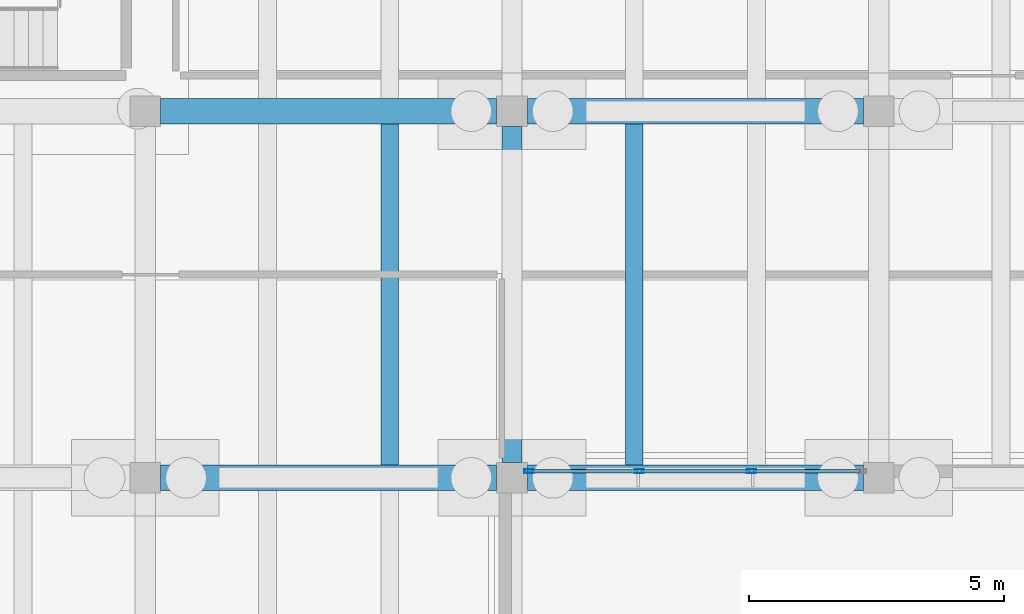
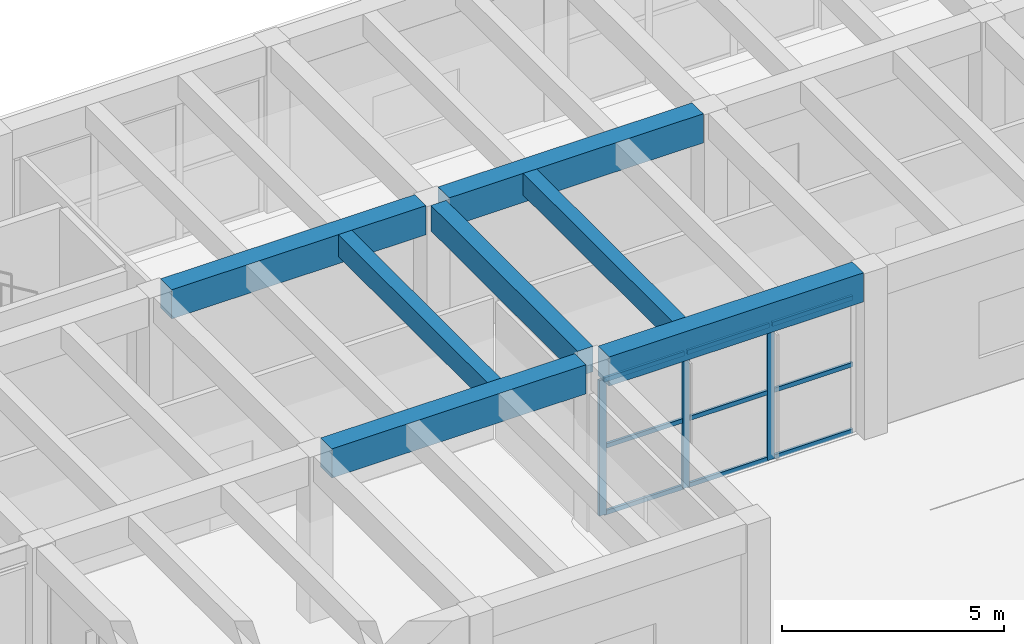
# One storey, part 53 of 155: 12 members, 7 beams, 1 element without a shape of its own.
"""IFC4 building model written with IfcOpenShell, lengths in metres."""

from ifc_helpers import new_model, si_unit, direction, frame, origin, origin_2d, place, context, subcontext, project, spatial, rectangle, hollow_rectangle, extrude, material, material_profile, profile_set, type_object, element, aggregate, save


model = new_model("IFC4")

# Units and contexts
model_context = context("Model", 3, precision=1e-05, world=origin(), true_north=direction((0.0, 1.0)))
body_context = subcontext(model_context, "Body", "Model", "MODEL_VIEW")
ifc_project = project(units=[si_unit("LENGTHUNIT", "METRE"), si_unit("AREAUNIT", "SQUARE_METRE"), si_unit("VOLUMEUNIT", "CUBIC_METRE"), si_unit("PLANEANGLEUNIT", "RADIAN"), si_unit("MASSUNIT", "GRAM", prefix="KILO")], contexts=[model_context])

# Site, building, storey
site_placement = place(None, origin())
site = spatial("IfcSite", under=ifc_project, at=site_placement, CompositionType="ELEMENT")
building_placement = place(site_placement, origin())
building = spatial("IfcBuilding", under=site, at=building_placement, Name="Bramvelor Terrace Health Centre", CompositionType="ELEMENT")
storey_placement = place(building_placement, origin())
storey = spatial("IfcBuildingStorey", under=building, at=storey_placement, Name="L01", CompositionType="ELEMENT", Elevation=0.0)

# Beams
ifc_material_1 = material(Name="Concrete C40/50", Category="concrete")
ifc_material_profile_1 = material_profile(ifc_material_1, rectangle(XDim=0.39990234375, YDim=0.699951171875, at=origin_2d()), Name="RC 400x700")
ifc_profile_set_1 = profile_set([ifc_material_profile_1], Name="Concrete C40/50")
beam_type_1 = type_object("IfcBeamType", Name="BM-RC-G700", PredefinedType="BEAM", material=ifc_profile_set_1)
beam_placement = place(storey_placement, frame((115.199951171875, 50.699951171875, 4.2099609375), z_axis=(0.0, 1.0, 0.0), x_axis=(-1.0, 0.0, 0.0)))
element("IfcBeam", 1, at=beam_placement, inside=storey, type_object=beam_type_1, Name="L01 Floor Girder", PredefinedType="BEAM", context=body_context, shape_type="SweptSolid", body=[
    extrude(rectangle(XDim=0.39990234375, YDim=0.699951171875, at=origin_2d()), origin(), (0.0, 0.0, 1.0), 6.60009765625),
])
ifc_material_2 = material(Name="Concrete C40/50", Category="concrete")
ifc_material_profile_2 = material_profile(ifc_material_2, rectangle(XDim=0.5, YDim=0.800048828125, at=origin_2d()), Name="RC 500x800")
ifc_profile_set_2 = profile_set([ifc_material_profile_2], Name="Concrete C40/50")
beam_type_2 = type_object("IfcBeamType", Name="BM-RC-G800", PredefinedType="BEAM", material=ifc_profile_set_2)
for number, where, z_axis, x_axis, name in (
    (2, (108.300048828125, 50.39990234375, 4.159912109375), (1.0, 0.0, 0.0), (0.0, 1.0, 0.0), "L01 Floor Girder"),
    (3, (108.300048828125, 57.60009765625, 4.159912109375), (1.0, 0.0, 0.0), (0.0, 1.0, 0.0), "L01 Floor Girder"),
):
    element("IfcBeam", number, at=place(storey_placement, frame(where, z_axis=z_axis, x_axis=x_axis)), inside=storey, type_object=beam_type_2, Name=name, PredefinedType="BEAM", context=body_context, shape_type="SweptSolid", body=[
        extrude(rectangle(XDim=0.5, YDim=0.800048828125, at=origin_2d()), origin(), (0.0, 0.0, 1.0), 6.599853515625),
    ])
for number, where, z_axis, x_axis, name in (
    (4, (115.5, 50.39990234375, 4.159912109375), (1.0, 0.0, 0.0), (0.0, 1.0, 0.0), "L01 Floor Girder"),
    (5, (115.5, 57.60009765625, 4.159912109375), (1.0, 0.0, 0.0), (0.0, 1.0, 0.0), "L01 Floor Girder"),
):
    element("IfcBeam", number, at=place(storey_placement, frame(where, z_axis=z_axis, x_axis=x_axis)), inside=storey, type_object=beam_type_2, Name=name, PredefinedType="BEAM", context=body_context, shape_type="SweptSolid", body=[
        extrude(rectangle(XDim=0.5, YDim=0.800048828125, at=origin_2d()), origin(), (0.0, 0.0, 1.0), 6.60009765625),
    ])
ifc_material_3 = material(Name="Concrete C40/50", Category="concrete")
ifc_material_profile_3 = material_profile(ifc_material_3, rectangle(XDim=0.35009765625, YDim=0.60009765625, at=origin_2d()), Name="RC 350x600")
ifc_profile_set_3 = profile_set([ifc_material_profile_3], Name="Concrete C40/50")
beam_type_3 = type_object("IfcBeamType", Name="BM-RC-J600", PredefinedType="JOIST", material=ifc_profile_set_3)
for number, where, z_axis, x_axis, name in (
    (6, (112.800048828125, 50.64990234375, 4.260009765625), (0.0, 1.0, 0.0), (-1.0, 0.0, 0.0), "L01 Secondary Floor Joist"),
    (7, (117.60009765625, 50.64990234375, 4.260009765625), (0.0, 1.0, 0.0), (-1.0, 0.0, 0.0), "L01 Secondary Floor Joist"),
):
    element("IfcBeam", number, at=place(storey_placement, frame(where, z_axis=z_axis, x_axis=x_axis)), inside=storey, type_object=beam_type_3, Name=name, PredefinedType="JOIST", context=body_context, shape_type="SweptSolid", body=[
        extrude(rectangle(XDim=0.35009765625, YDim=0.60009765625, at=origin_2d()), origin(), (0.0, 0.0, 1.0), 6.7001953125),
    ])

# Curtain wall, members
ifc_material_4 = material(Name="Anodized aluminium and double low-E glass", Category="aluminium")
curtain_wall_type = type_object("IfcCurtainWallType", Name="CW-SYS-02", PredefinedType="NOTDEFINED", material=ifc_material_4)
curtain_wall_placement = place(storey_placement, origin())
curtain_wall = element("IfcCurtainWall", 8, at=curtain_wall_placement, inside=storey, type_object=curtain_wall_type, Name="L01 Unitized Curtain Wall 44", PredefinedType="NOTDEFINED")
ifc_material_5 = material(Name="Anodized aluminium 6063-T6", Category="aluminium")
ifc_material_profile_4 = material_profile(ifc_material_5, hollow_rectangle(XDim=0.074951171875, YDim=0.179931640625, WallThickness=0.00341796875, at=origin_2d()), Name="ALU-MUL 75x180x3.5")
ifc_profile_set_4 = profile_set([ifc_material_profile_4], Name="Anodized aluminium 6063-T6")
member_type_1 = type_object("IfcMemberType", Name="CW-MUL-65x180", PredefinedType="MULLION", material=ifc_profile_set_4)
member_1_placement = place(storey_placement, frame((119.901611328125, 50.530029296875, 0.0), z_axis=(0.0, 0.0, 1.0), x_axis=(0.0, -1.0, 0.0)))
member_1 = element("IfcMember", 9, at=member_1_placement, type_object=member_type_1, Name="CW-02 mullion 2", PredefinedType="MULLION", context=body_context, shape_type="SweptSolid", body=[
    extrude(hollow_rectangle(XDim=0.074951171875, YDim=0.179931640625, WallThickness=0.00341796875, at=origin_2d()), origin(), (0.0, 0.0, 1.0), 3.719970703125),
])
member_2_placement = place(storey_placement, frame((117.6982421875, 50.530029296875, 0.0), z_axis=(0.0, 0.0, 1.0), x_axis=(0.0, -1.0, 0.0)))
member_2 = element("IfcMember", 10, at=member_2_placement, type_object=member_type_1, Name="CW-02 mullion 3", PredefinedType="MULLION", context=body_context, shape_type="SweptSolid", body=[
    extrude(hollow_rectangle(XDim=0.074951171875, YDim=0.179931640625, WallThickness=0.00341796875, at=origin_2d()), origin(), (0.0, 0.0, 1.0), 3.719970703125),
])
member_3_placement = place(storey_placement, frame((115.532470703125, 50.530029296875, 0.0), z_axis=(0.0, 0.0, 1.0), x_axis=(0.0, -1.0, 0.0)))
member_3 = element("IfcMember", 11, at=member_3_placement, type_object=member_type_1, Name="CW-02 mullion 4", PredefinedType="MULLION", context=body_context, shape_type="SweptSolid", body=[
    extrude(hollow_rectangle(XDim=0.074951171875, YDim=0.179931640625, WallThickness=0.00341796875, at=origin_2d()), origin(), (0.0, 0.0, 1.0), 3.719970703125),
])
ifc_material_6 = material(Name="Anodized aluminium 6063-T6", Category="aluminium")
ifc_material_profile_5 = material_profile(ifc_material_6, hollow_rectangle(XDim=0.06494140625, YDim=0.1201171875, WallThickness=0.0029296875, at=origin_2d()), Name="ALU-TRN 65x120x3.0")
ifc_profile_set_5 = profile_set([ifc_material_profile_5], Name="Anodized aluminium 6063-T6")
member_type_2 = type_object("IfcMemberType", Name="CW-TRN-65x150", PredefinedType="USERDEFINED", material=ifc_profile_set_5)
member_4_placement = place(storey_placement, frame((122.030029296875, 50.530029296875, 0.032470703125), z_axis=(-1.0, 0.0, 0.0), x_axis=(0.0, -1.0, 0.0)))
member_4 = element("IfcMember", 12, at=member_4_placement, type_object=member_type_2, Name="CW-02 transom 1.1", ObjectType="TRANSOM", PredefinedType="USERDEFINED", context=body_context, shape_type="SweptSolid", body=[
    extrude(hollow_rectangle(XDim=0.06494140625, YDim=0.1201171875, WallThickness=0.0029296875, at=origin_2d()), origin(), (0.0, 0.0, 1.0), 2.0908203125),
])
member_5_placement = place(storey_placement, frame((122.030029296875, 50.530029296875, 1.860107421875), z_axis=(-1.0, 0.0, 0.0), x_axis=(0.0, -1.0, 0.0)))
member_5 = element("IfcMember", 13, at=member_5_placement, type_object=member_type_2, Name="CW-02 transom 1.2", ObjectType="TRANSOM", PredefinedType="USERDEFINED", context=body_context, shape_type="SweptSolid", body=[
    extrude(hollow_rectangle(XDim=0.06494140625, YDim=0.1201171875, WallThickness=0.0029296875, at=origin_2d()), origin(), (0.0, 0.0, 1.0), 2.0908203125),
])
member_6_placement = place(storey_placement, frame((122.030029296875, 50.530029296875, 3.6875), z_axis=(-1.0, 0.0, 0.0), x_axis=(0.0, -1.0, 0.0)))
member_6 = element("IfcMember", 14, at=member_6_placement, type_object=member_type_2, Name="CW-02 transom 1.3", ObjectType="TRANSOM", PredefinedType="USERDEFINED", context=body_context, shape_type="SweptSolid", body=[
    extrude(hollow_rectangle(XDim=0.06494140625, YDim=0.1201171875, WallThickness=0.0029296875, at=origin_2d()), origin(), (0.0, 0.0, 1.0), 2.0908203125),
])
member_7_placement = place(storey_placement, frame((119.8642578125, 50.530029296875, 0.032470703125), z_axis=(-1.0, 0.0, 0.0), x_axis=(0.0, -1.0, 0.0)))
member_7 = element("IfcMember", 15, at=member_7_placement, type_object=member_type_2, Name="CW-02 transom 2.1", ObjectType="TRANSOM", PredefinedType="USERDEFINED", context=body_context, shape_type="SweptSolid", body=[
    extrude(hollow_rectangle(XDim=0.06494140625, YDim=0.1201171875, WallThickness=0.0029296875, at=origin_2d()), origin(), (0.0, 0.0, 1.0), 2.12841796875),
])
member_8_placement = place(storey_placement, frame((119.8642578125, 50.530029296875, 1.860107421875), z_axis=(-1.0, 0.0, 0.0), x_axis=(0.0, -1.0, 0.0)))
member_8 = element("IfcMember", 16, at=member_8_placement, type_object=member_type_2, Name="CW-02 transom 2.2", ObjectType="TRANSOM", PredefinedType="USERDEFINED", context=body_context, shape_type="SweptSolid", body=[
    extrude(hollow_rectangle(XDim=0.06494140625, YDim=0.1201171875, WallThickness=0.0029296875, at=origin_2d()), origin(), (0.0, 0.0, 1.0), 2.12841796875),
])
member_9_placement = place(storey_placement, frame((119.8642578125, 50.530029296875, 3.6875), z_axis=(-1.0, 0.0, 0.0), x_axis=(0.0, -1.0, 0.0)))
member_9 = element("IfcMember", 17, at=member_9_placement, type_object=member_type_2, Name="CW-02 transom 2.3", ObjectType="TRANSOM", PredefinedType="USERDEFINED", context=body_context, shape_type="SweptSolid", body=[
    extrude(hollow_rectangle(XDim=0.06494140625, YDim=0.1201171875, WallThickness=0.0029296875, at=origin_2d()), origin(), (0.0, 0.0, 1.0), 2.12841796875),
])
member_10_placement = place(storey_placement, frame((117.660888671875, 50.530029296875, 0.032470703125), z_axis=(-1.0, 0.0, 0.0), x_axis=(0.0, -1.0, 0.0)))
member_10 = element("IfcMember", 18, at=member_10_placement, type_object=member_type_2, Name="CW-02 transom 3.1", ObjectType="TRANSOM", PredefinedType="USERDEFINED", context=body_context, shape_type="SweptSolid", body=[
    extrude(hollow_rectangle(XDim=0.06494140625, YDim=0.1201171875, WallThickness=0.0029296875, at=origin_2d()), origin(), (0.0, 0.0, 1.0), 2.0908203125),
])
member_11_placement = place(storey_placement, frame((117.660888671875, 50.530029296875, 1.860107421875), z_axis=(-1.0, 0.0, 0.0), x_axis=(0.0, -1.0, 0.0)))
member_11 = element("IfcMember", 19, at=member_11_placement, type_object=member_type_2, Name="CW-02 transom 3.2", ObjectType="TRANSOM", PredefinedType="USERDEFINED", context=body_context, shape_type="SweptSolid", body=[
    extrude(hollow_rectangle(XDim=0.06494140625, YDim=0.1201171875, WallThickness=0.0029296875, at=origin_2d()), origin(), (0.0, 0.0, 1.0), 2.0908203125),
])
member_12_placement = place(storey_placement, frame((117.660888671875, 50.530029296875, 3.6875), z_axis=(-1.0, 0.0, 0.0), x_axis=(0.0, -1.0, 0.0)))
member_12 = element("IfcMember", 20, at=member_12_placement, type_object=member_type_2, Name="CW-02 transom 3.3", ObjectType="TRANSOM", PredefinedType="USERDEFINED", context=body_context, shape_type="SweptSolid", body=[
    extrude(hollow_rectangle(XDim=0.06494140625, YDim=0.1201171875, WallThickness=0.0029296875, at=origin_2d()), origin(), (0.0, 0.0, 1.0), 2.0908203125),
])
aggregate(curtain_wall, [member_1, member_2, member_3, member_4, member_5, member_6, member_7, member_8, member_9, member_10, member_11, member_12])

save(model, "model.ifc")
